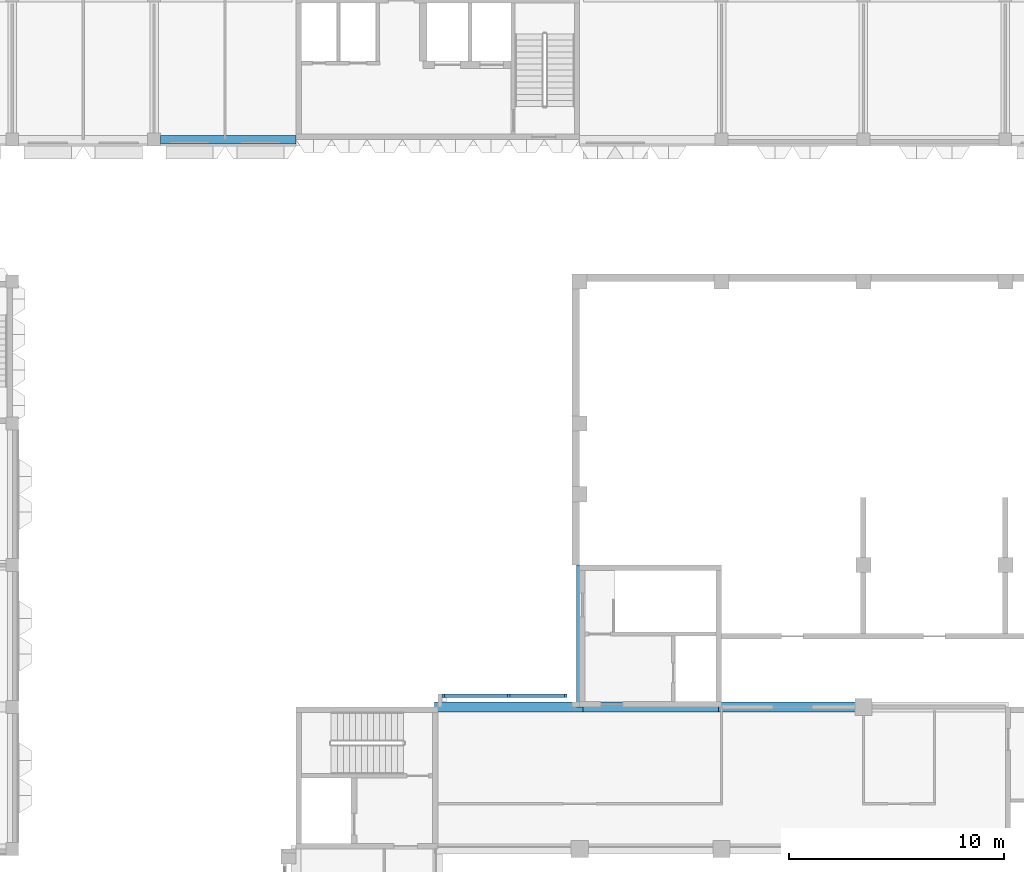
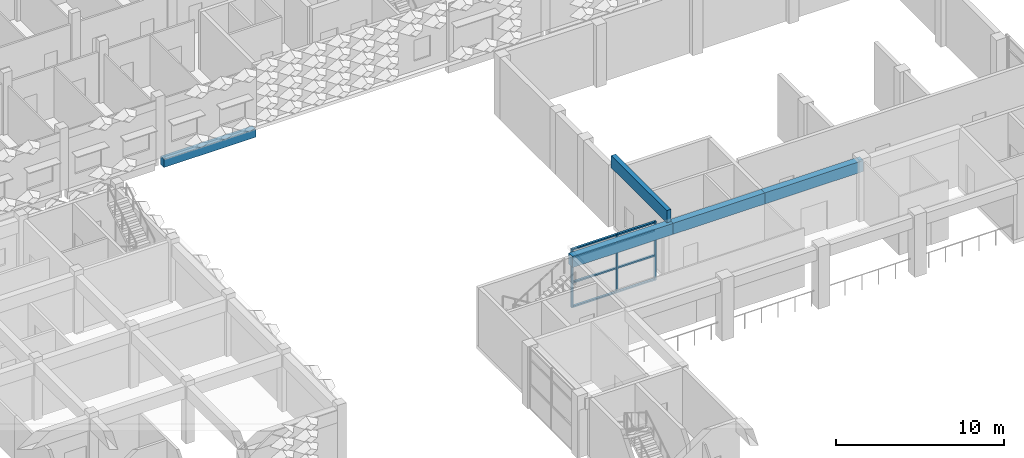
# One storey, part 17 of 87: 11 members, 5 beams, 1 element without a shape of its own.
"""IFC4 building model written with IfcOpenShell, lengths in metres."""

from ifc_helpers import new_model, si_unit, direction, frame, origin, origin_2d, place, context, subcontext, project, spatial, rectangle, extrude, material, material_profile, profile_set, type_object, element, aggregate, save


model = new_model("IFC4")

# Units and contexts
model_context = context("Model", 3, precision=1e-05, world=origin(), true_north=direction((0.0, 1.0)))
body_context = subcontext(model_context, "Body", "Model", "MODEL_VIEW")
ifc_project = project(units=[si_unit("LENGTHUNIT", "METRE"), si_unit("AREAUNIT", "SQUARE_METRE"), si_unit("VOLUMEUNIT", "CUBIC_METRE"), si_unit("PLANEANGLEUNIT", "RADIAN"), si_unit("MASSUNIT", "GRAM", prefix="KILO")], contexts=[model_context])

# Site, building, storey
site_placement = place(None, origin())
site = spatial("IfcSite", under=ifc_project, at=site_placement, CompositionType="ELEMENT")
building_placement = place(site_placement, origin())
building = spatial("IfcBuilding", under=site, at=building_placement, Name="Lantern Court Research Institute", CompositionType="ELEMENT")
storey_placement = place(building_placement, frame((0.0, 0.0, 5.39990234375)))
storey = spatial("IfcBuildingStorey", under=building, at=storey_placement, Name="L01", CompositionType="ELEMENT", Elevation=5.39990234375)

# Beams
ifc_material_1 = material(Name="Concrete C40/50", Category="concrete")
ifc_material_profile_1 = material_profile(ifc_material_1, rectangle(XDim=0.449951171875, YDim=0.800048828125, at=origin_2d()), Name="Hall beam 450 x 800")
ifc_profile_set_1 = profile_set([ifc_material_profile_1], Name="Concrete C40/50")
beam_type_1 = type_object("IfcBeamType", Name="Hall beam 450 x 800", PredefinedType="BEAM", material=ifc_profile_set_1)
beam_1_placement = place(storey_placement, frame((46.050048828125, 56.10009765625, 3.85009765625), z_axis=(1.0, 0.0, 0.0), x_axis=(0.0, 1.0, 0.0)))
element("IfcBeam", 1, at=beam_1_placement, inside=storey, type_object=beam_type_1, Name="Gallery beam L02", PredefinedType="BEAM", context=body_context, shape_type="SweptSolid", body=[
    extrude(rectangle(XDim=0.449951171875, YDim=0.800048828125, at=origin_2d()), origin(), (0.0, 0.0, 1.0), 6.89990234375),
])
beam_2_placement = place(storey_placement, frame((52.64990234375, 56.10009765625, 3.85009765625), z_axis=(1.0, 0.0, 0.0), x_axis=(0.0, 1.0, 0.0)))
element("IfcBeam", 2, at=beam_2_placement, inside=storey, type_object=beam_type_1, Name="Gallery beam L02", PredefinedType="BEAM", context=body_context, shape_type="SweptSolid", body=[
    extrude(rectangle(XDim=0.449951171875, YDim=0.800048828125, at=origin_2d()), origin(), (0.0, 0.0, 1.0), 6.900146484375),
])
beam_3_placement = place(storey_placement, frame((59.25, 56.10009765625, 3.85009765625), z_axis=(1.0, 0.0, 0.0), x_axis=(0.0, 1.0, 0.0)))
element("IfcBeam", 3, at=beam_3_placement, inside=storey, type_object=beam_type_1, Name="Gallery beam L02", PredefinedType="BEAM", context=body_context, shape_type="SweptSolid", body=[
    extrude(rectangle(XDim=0.449951171875, YDim=0.800048828125, at=origin_2d()), origin(), (0.0, 0.0, 1.0), 6.75),
])

# Curtain wall, members
ifc_material_2 = material(Name="Aluminium alloy 6063-T6", Category="aluminium")
curtain_wall_type = type_object("IfcCurtainWallType", Name="Curtain wall 5800 x 4250 x 150 aluminium frame", PredefinedType="NOTDEFINED", material=ifc_material_2)
curtain_wall_placement = place(storey_placement, origin())
curtain_wall = element("IfcCurtainWall", 4, at=curtain_wall_placement, inside=storey, type_object=curtain_wall_type, Name="Curtain wall CW018", PredefinedType="NOTDEFINED")
ifc_material_3 = material(Name="Aluminium alloy 6063-T6", Category="aluminium")
ifc_material_profile_2 = material_profile(ifc_material_3, rectangle(XDim=0.14990234375, YDim=0.10009765625, at=origin_2d()), Name="Mullion 150 x 100")
ifc_profile_set_2 = profile_set([ifc_material_profile_2], Name="Aluminium alloy 6063-T6")
member_type_1 = type_object("IfcMemberType", Name="Mullion 150 x 100 aluminium", PredefinedType="MULLION", material=ifc_profile_set_2)
member_1_placement = place(storey_placement, frame((46.449951171875, 56.625, 0.0), z_axis=(0.0, 0.0, 1.0), x_axis=(0.0, 1.0, 0.0)))
member_1 = element("IfcMember", 5, at=member_1_placement, type_object=member_type_1, Name="CW018 mullion 1", PredefinedType="MULLION", context=body_context, shape_type="SweptSolid", body=[
    extrude(rectangle(XDim=0.14990234375, YDim=0.10009765625, at=origin_2d()), origin(), (0.0, 0.0, 1.0), 4.25),
])
member_2_placement = place(storey_placement, frame((49.5, 56.625, 0.0), z_axis=(0.0, 0.0, 1.0), x_axis=(0.0, 1.0, 0.0)))
member_2 = element("IfcMember", 6, at=member_2_placement, type_object=member_type_1, Name="CW018 mullion 2", PredefinedType="MULLION", context=body_context, shape_type="SweptSolid", body=[
    extrude(rectangle(XDim=0.14990234375, YDim=0.10009765625, at=origin_2d()), origin(), (0.0, 0.0, 1.0), 4.25),
])
member_3_placement = place(storey_placement, frame((52.14990234375, 56.625, 0.0), z_axis=(0.0, 0.0, 1.0), x_axis=(0.0, 1.0, 0.0)))
member_3 = element("IfcMember", 7, at=member_3_placement, type_object=member_type_1, Name="CW018 mullion 3", PredefinedType="MULLION", context=body_context, shape_type="SweptSolid", body=[
    extrude(rectangle(XDim=0.14990234375, YDim=0.10009765625, at=origin_2d()), origin(), (0.0, 0.0, 1.0), 4.25),
])

# Beams
ifc_material_4 = material(Name="Concrete C40/50", Category="concrete")
ifc_material_profile_3 = material_profile(ifc_material_4, rectangle(XDim=0.39990234375, YDim=0.60009765625, at=origin_2d()), Name="RC beam 400 x 600")
ifc_profile_set_3 = profile_set([ifc_material_profile_3], Name="Concrete C40/50")
beam_type_2 = type_object("IfcBeamType", Name="RC edge beam 400 x 600", PredefinedType="BEAM", material=ifc_profile_set_3)
beam_4_placement = place(storey_placement, frame((33.300048828125, 82.5, -0.5498046875), z_axis=(1.0, 0.0, 0.0), x_axis=(0.0, 1.0, 0.0)))
element("IfcBeam", 8, at=beam_4_placement, inside=storey, type_object=beam_type_2, Name="Edge beam L01 grid J/6-7", PredefinedType="BEAM", context=body_context, shape_type="SweptSolid", body=[
    extrude(rectangle(XDim=0.39990234375, YDim=0.60009765625, at=origin_2d()), origin(), (0.0, 0.0, 1.0), 6.300048828125),
])
ifc_material_5 = material(Name="Concrete C40/50", Category="concrete")
ifc_material_profile_4 = material_profile(ifc_material_5, rectangle(XDim=0.300048828125, YDim=0.889892578125, at=origin_2d()), Name="Ring wall beam 300 x 890")
ifc_profile_set_4 = profile_set([ifc_material_profile_4], Name="Concrete C40/50")
beam_type_3 = type_object("IfcBeamType", Name="Ring wall beam 300 x 890", PredefinedType="BEAM", material=ifc_profile_set_4)
beam_5_placement = place(storey_placement, frame((52.800048828125, 56.10009765625, 4.695068359375), z_axis=(0.0, 1.0, 0.0), x_axis=(-1.0, 0.0, 0.0)))
element("IfcBeam", 9, at=beam_5_placement, inside=storey, type_object=beam_type_3, Name="Ring wall beam W", PredefinedType="BEAM", context=body_context, shape_type="SweptSolid", body=[
    extrude(rectangle(XDim=0.300048828125, YDim=0.889892578125, at=origin_2d()), origin(), (0.0, 0.0, 1.0), 6.599853515625),
])

# Member
ifc_material_6 = material(Name="Aluminium alloy 6063-T6", Category="aluminium")
ifc_material_profile_5 = material_profile(ifc_material_6, rectangle(XDim=0.14990234375, YDim=0.10009765625, at=origin_2d()), Name="Transom 150 x 100")
ifc_profile_set_5 = profile_set([ifc_material_profile_5], Name="Aluminium alloy 6063-T6")
member_type_2 = type_object("IfcMemberType", Name="Transom 150 x 100 aluminium", PredefinedType="USERDEFINED", material=ifc_profile_set_5)
member_4_placement = place(storey_placement, frame((46.5, 56.625, 0.050048828125), z_axis=(1.0, 0.0, 0.0), x_axis=(0.0, 1.0, 0.0)))
member_4 = element("IfcMember", 10, at=member_4_placement, type_object=member_type_2, Name="CW018 transom 1.1", ObjectType="TRANSOM", PredefinedType="USERDEFINED", context=body_context, shape_type="SweptSolid", body=[
    extrude(rectangle(XDim=0.14990234375, YDim=0.10009765625, at=origin_2d()), origin(), (0.0, 0.0, 1.0), 2.949951171875),
])

member_5_placement = place(storey_placement, frame((46.5, 56.625, 1.800048828125), z_axis=(1.0, 0.0, 0.0), x_axis=(0.0, 1.0, 0.0)))
member_5 = element("IfcMember", 11, at=member_5_placement, type_object=member_type_2, Name="CW018 transom 1.2", ObjectType="TRANSOM", PredefinedType="USERDEFINED", context=body_context, shape_type="SweptSolid", body=[
    extrude(rectangle(XDim=0.14990234375, YDim=0.10009765625, at=origin_2d()), origin(), (0.0, 0.0, 1.0), 2.949951171875),
])

member_6_placement = place(storey_placement, frame((46.5, 56.625, 3.60009765625), z_axis=(1.0, 0.0, 0.0), x_axis=(0.0, 1.0, 0.0)))
member_6 = element("IfcMember", 12, at=member_6_placement, type_object=member_type_2, Name="CW018 transom 1.3", ObjectType="TRANSOM", PredefinedType="USERDEFINED", context=body_context, shape_type="SweptSolid", body=[
    extrude(rectangle(XDim=0.14990234375, YDim=0.10009765625, at=origin_2d()), origin(), (0.0, 0.0, 1.0), 2.949951171875),
])

member_7_placement = place(storey_placement, frame((46.5, 56.625, 4.2001953125), z_axis=(1.0, 0.0, 0.0), x_axis=(0.0, 1.0, 0.0)))
member_7 = element("IfcMember", 13, at=member_7_placement, type_object=member_type_2, Name="CW018 transom 1.4", ObjectType="TRANSOM", PredefinedType="USERDEFINED", context=body_context, shape_type="SweptSolid", body=[
    extrude(rectangle(XDim=0.14990234375, YDim=0.10009765625, at=origin_2d()), origin(), (0.0, 0.0, 1.0), 2.949951171875),
])

member_8_placement = place(storey_placement, frame((49.550048828125, 56.625, 0.050048828125), z_axis=(1.0, 0.0, 0.0), x_axis=(0.0, 1.0, 0.0)))
member_8 = element("IfcMember", 14, at=member_8_placement, type_object=member_type_2, Name="CW018 transom 2.1", ObjectType="TRANSOM", PredefinedType="USERDEFINED", context=body_context, shape_type="SweptSolid", body=[
    extrude(rectangle(XDim=0.14990234375, YDim=0.10009765625, at=origin_2d()), origin(), (0.0, 0.0, 1.0), 2.550048828125),
])

member_9_placement = place(storey_placement, frame((49.550048828125, 56.625, 1.800048828125), z_axis=(1.0, 0.0, 0.0), x_axis=(0.0, 1.0, 0.0)))
member_9 = element("IfcMember", 15, at=member_9_placement, type_object=member_type_2, Name="CW018 transom 2.2", ObjectType="TRANSOM", PredefinedType="USERDEFINED", context=body_context, shape_type="SweptSolid", body=[
    extrude(rectangle(XDim=0.14990234375, YDim=0.10009765625, at=origin_2d()), origin(), (0.0, 0.0, 1.0), 2.550048828125),
])

member_10_placement = place(storey_placement, frame((49.550048828125, 56.625, 3.60009765625), z_axis=(1.0, 0.0, 0.0), x_axis=(0.0, 1.0, 0.0)))
member_10 = element("IfcMember", 16, at=member_10_placement, type_object=member_type_2, Name="CW018 transom 2.3", ObjectType="TRANSOM", PredefinedType="USERDEFINED", context=body_context, shape_type="SweptSolid", body=[
    extrude(rectangle(XDim=0.14990234375, YDim=0.10009765625, at=origin_2d()), origin(), (0.0, 0.0, 1.0), 2.550048828125),
])

member_11_placement = place(storey_placement, frame((49.550048828125, 56.625, 4.2001953125), z_axis=(1.0, 0.0, 0.0), x_axis=(0.0, 1.0, 0.0)))
member_11 = element("IfcMember", 17, at=member_11_placement, type_object=member_type_2, Name="CW018 transom 2.4", ObjectType="TRANSOM", PredefinedType="USERDEFINED", context=body_context, shape_type="SweptSolid", body=[
    extrude(rectangle(XDim=0.14990234375, YDim=0.10009765625, at=origin_2d()), origin(), (0.0, 0.0, 1.0), 2.550048828125),
])

aggregate(curtain_wall, [member_1, member_2, member_3, member_4, member_5, member_6, member_7, member_8, member_9, member_10, member_11])

save(model, "model.ifc")
